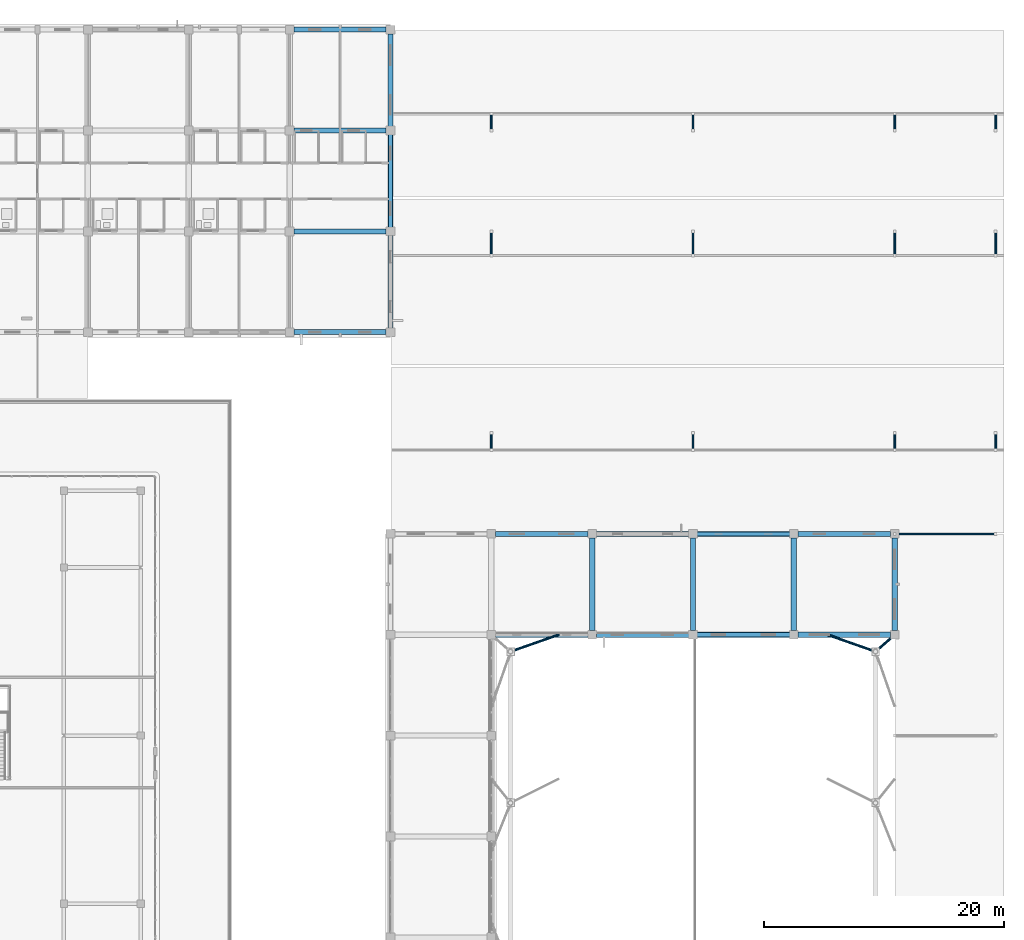
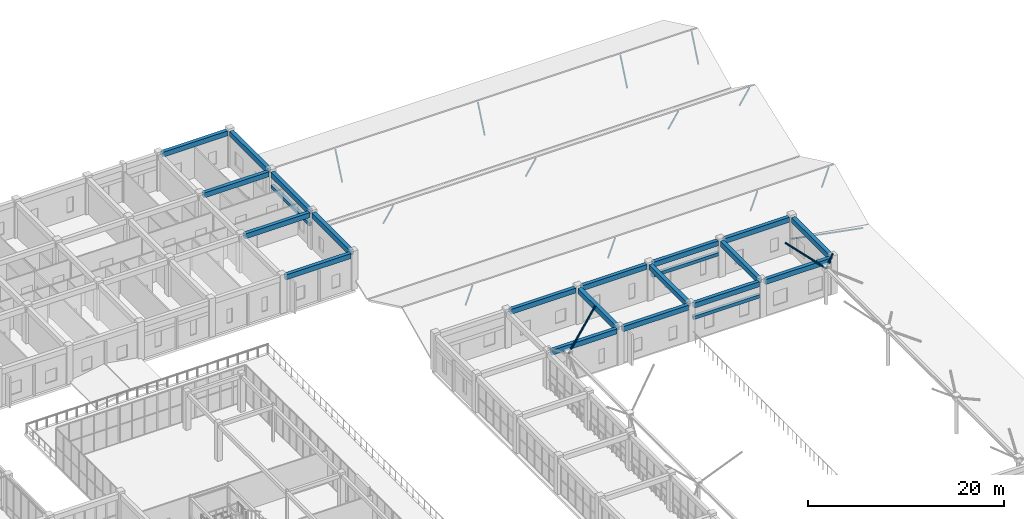
# One storey, part 100 of 158: 22 beams, 16 members.
"""IFC4 building model written with IfcOpenShell, lengths in metres."""

from ifc_helpers import new_model, si_unit, direction, frame, origin, origin_2d, place, context, subcontext, project, spatial, rectangle, hollow_circle, extrude, material, material_profile, profile_set, type_object, element, save


model = new_model("IFC4")

# Units and contexts
model_context = context("Model", 3, precision=1e-05, world=origin(), true_north=direction((0.0, 1.0)))
body_context = subcontext(model_context, "Body", "Model", "MODEL_VIEW")
ifc_project = project(units=[si_unit("LENGTHUNIT", "METRE"), si_unit("AREAUNIT", "SQUARE_METRE"), si_unit("VOLUMEUNIT", "CUBIC_METRE"), si_unit("PLANEANGLEUNIT", "RADIAN"), si_unit("MASSUNIT", "GRAM", prefix="KILO")], contexts=[model_context])

# Site, building, storey
site_placement = place(None, origin())
site = spatial("IfcSite", under=ifc_project, at=site_placement, CompositionType="ELEMENT")
building_placement = place(site_placement, origin())
building = spatial("IfcBuilding", under=site, at=building_placement, Name="Trelvath General Hospital", CompositionType="ELEMENT")
storey_placement = place(building_placement, frame((0.0, 0.0, 8.10009765625)))
storey = spatial("IfcBuildingStorey", under=building, at=storey_placement, Name="L02", CompositionType="ELEMENT", Elevation=8.10009765625)

# Beams
ifc_material_1 = material(Name="Concrete C35/45", Category="concrete")
ifc_material_profile_1 = material_profile(ifc_material_1, rectangle(XDim=0.419921875, YDim=0.6201171875, at=origin_2d()), Name="RCB420x620")
ifc_profile_set_1 = profile_set([ifc_material_profile_1], Name="Concrete C35/45")
beam_type_1 = type_object("IfcBeamType", Name="Beam RC420x620", PredefinedType="BEAM", material=ifc_profile_set_1)
beam_1_placement = place(storey_placement, frame((126.35498046875, 92.39990234375, 4.2099609375), z_axis=(1.0, 0.0, 0.0), x_axis=(0.0, 1.0, 0.0)))
element("IfcBeam", 1, at=beam_1_placement, inside=storey, type_object=beam_type_1, Name="Grid Beam BX-215L", PredefinedType="BEAM", context=body_context, shape_type="SweptSolid", body=[
    extrude(rectangle(XDim=0.419921875, YDim=0.6201171875, at=origin_2d()), origin(), (0.0, 0.0, 1.0), 7.68994140625),
])
for number, where, z_axis, x_axis, name in (
    (2, (126.364990234375, 100.800048828125, 4.2099609375), (1.0, 0.0, 0.0), (0.0, 1.0, 0.0), "Grid Beam BX-215M"),
    (3, (126.364990234375, 109.199951171875, 4.2099609375), (1.0, 0.0, 0.0), (0.0, 1.0, 0.0), "Grid Beam BX-215N"),
):
    element("IfcBeam", number, at=place(storey_placement, frame(where, z_axis=z_axis, x_axis=x_axis)), inside=storey, type_object=beam_type_1, Name=name, PredefinedType="BEAM", context=body_context, shape_type="SweptSolid", body=[
        extrude(rectangle(XDim=0.419921875, YDim=0.6201171875, at=origin_2d()), origin(), (0.0, 0.0, 1.0), 7.679931640625),
    ])
for number, where, z_axis, x_axis, name in (
    (4, (126.35498046875, 117.60009765625, 4.2099609375), (1.0, 0.0, 0.0), (0.0, 1.0, 0.0), "Grid Beam BX-215O"),
    (5, (143.155029296875, 67.199951171875, 4.2099609375), (1.0, 0.0, 0.0), (0.0, 1.0, 0.0), "Grid Beam BX-217I"),
    (6, (143.155029296875, 75.60009765625, 4.2099609375), (1.0, 0.0, 0.0), (0.0, 1.0, 0.0), "Grid Beam BX-217J"),
):
    element("IfcBeam", number, at=place(storey_placement, frame(where, z_axis=z_axis, x_axis=x_axis)), inside=storey, type_object=beam_type_1, Name=name, PredefinedType="BEAM", context=body_context, shape_type="SweptSolid", body=[
        extrude(rectangle(XDim=0.419921875, YDim=0.6201171875, at=origin_2d()), origin(), (0.0, 0.0, 1.0), 7.68994140625),
    ])
for number, where, z_axis, x_axis, name in (
    (7, (151.554931640625, 67.199951171875, 4.2099609375), (1.0, 0.0, 0.0), (0.0, 1.0, 0.0), "Grid Beam BX-218I"),
    (8, (151.554931640625, 75.60009765625, 4.2099609375), (1.0, 0.0, 0.0), (0.0, 1.0, 0.0), "Grid Beam BX-218J"),
):
    element("IfcBeam", number, at=place(storey_placement, frame(where, z_axis=z_axis, x_axis=x_axis)), inside=storey, type_object=beam_type_1, Name=name, PredefinedType="BEAM", context=body_context, shape_type="SweptSolid", body=[
        extrude(rectangle(XDim=0.419921875, YDim=0.6201171875, at=origin_2d()), origin(), (0.0, 0.0, 1.0), 7.690185546875),
    ])
for number, where, z_axis, x_axis, name in (
    (9, (159.955078125, 67.199951171875, 4.2099609375), (1.0, 0.0, 0.0), (0.0, 1.0, 0.0), "Grid Beam BX-219I"),
    (10, (159.955078125, 75.60009765625, 4.2099609375), (1.0, 0.0, 0.0), (0.0, 1.0, 0.0), "Grid Beam BX-219J"),
    (11, (168.35498046875, 67.199951171875, 4.2099609375), (1.0, 0.0, 0.0), (0.0, 1.0, 0.0), "Grid Beam BX-220I"),
    (12, (168.35498046875, 75.60009765625, 4.2099609375), (1.0, 0.0, 0.0), (0.0, 1.0, 0.0), "Grid Beam BX-220J"),
):
    element("IfcBeam", number, at=place(storey_placement, frame(where, z_axis=z_axis, x_axis=x_axis)), inside=storey, type_object=beam_type_1, Name=name, PredefinedType="BEAM", context=body_context, shape_type="SweptSolid", body=[
        extrude(rectangle(XDim=0.419921875, YDim=0.6201171875, at=origin_2d()), origin(), (0.0, 0.0, 1.0), 7.68994140625),
    ])
ifc_material_2 = material(Name="Concrete C35/45", Category="concrete")
ifc_material_profile_2 = material_profile(ifc_material_2, rectangle(XDim=0.449951171875, YDim=0.64990234375, at=origin_2d()), Name="RCB450x650")
ifc_profile_set_2 = profile_set([ifc_material_profile_2], Name="Concrete C35/45")
beam_type_2 = type_object("IfcBeamType", Name="Beam RC450x650", PredefinedType="BEAM", material=ifc_profile_set_2)
beam_2_placement = place(storey_placement, frame((134.39990234375, 92.7548828125, 4.19482421875), z_axis=(0.0, 1.0, 0.0), x_axis=(-1.0, 0.0, 0.0)))
element("IfcBeam", 13, at=beam_2_placement, inside=storey, type_object=beam_type_2, Name="Grid Beam BY-216L", PredefinedType="BEAM", context=body_context, shape_type="SweptSolid", body=[
    extrude(rectangle(XDim=0.449951171875, YDim=0.64990234375, at=origin_2d()), origin(), (0.0, 0.0, 1.0), 7.690185546875),
])
beam_3_placement = place(storey_placement, frame((134.39990234375, 101.155029296875, 4.19482421875), z_axis=(0.0, 1.0, 0.0), x_axis=(-1.0, 0.0, 0.0)))
element("IfcBeam", 14, at=beam_3_placement, inside=storey, type_object=beam_type_2, Name="Grid Beam BY-216M", PredefinedType="BEAM", context=body_context, shape_type="SweptSolid", body=[
    extrude(rectangle(XDim=0.449951171875, YDim=0.64990234375, at=origin_2d()), origin(), (0.0, 0.0, 1.0), 7.68994140625),
])
for number, where, z_axis, x_axis, name in (
    (15, (134.39990234375, 109.554931640625, 4.19482421875), (0.0, 1.0, 0.0), (-1.0, 0.0, 0.0), "Grid Beam BY-216N"),
    (16, (151.199951171875, 67.554931640625, 4.19482421875), (0.0, 1.0, 0.0), (-1.0, 0.0, 0.0), "Grid Beam BY-218I"),
    (17, (159.60009765625, 67.554931640625, 4.19482421875), (0.0, 1.0, 0.0), (-1.0, 0.0, 0.0), "Grid Beam BY-219I"),
    (18, (168.0, 67.554931640625, 4.19482421875), (0.0, 1.0, 0.0), (-1.0, 0.0, 0.0), "Grid Beam BY-220I"),
    (19, (176.39990234375, 67.554931640625, 4.19482421875), (0.0, 1.0, 0.0), (-1.0, 0.0, 0.0), "Grid Beam BY-221I"),
):
    element("IfcBeam", number, at=place(storey_placement, frame(where, z_axis=z_axis, x_axis=x_axis)), inside=storey, type_object=beam_type_2, Name=name, PredefinedType="BEAM", context=body_context, shape_type="SweptSolid", body=[
        extrude(rectangle(XDim=0.449951171875, YDim=0.64990234375, at=origin_2d()), origin(), (0.0, 0.0, 1.0), 7.690185546875),
    ])
ifc_material_3 = material(Name="Precast concrete C40/50", Category="concrete")
ifc_material_profile_3 = material_profile(ifc_material_3, rectangle(XDim=0.35009765625, YDim=0.419921875, at=origin_2d()), Name="PCL350x420")
ifc_profile_set_3 = profile_set([ifc_material_profile_3], Name="Precast concrete C40/50")
beam_type_3 = type_object("IfcBeamType", Name="Lintel PC350x420", PredefinedType="LINTEL", material=ifc_profile_set_3)
for number, where, z_axis, x_axis, name in (
    (20, (134.39990234375, 108.925048828125, 2.669921875), (0.0, -1.0, 0.0), (1.0, 0.0, 0.0), "Precast Window Brow Lintel L02-302"),
    (21, (167.72509765625, 67.199951171875, 2.669921875), (-1.0, 0.0, 0.0), (0.0, -1.0, 0.0), "Precast Window Brow Lintel L02-318"),
    (22, (159.875, 75.60009765625, 2.81982421875), (1.0, 0.0, 0.0), (0.0, 1.0, 0.0), "Precast Window Brow Lintel L02-319"),
):
    element("IfcBeam", number, at=place(storey_placement, frame(where, z_axis=z_axis, x_axis=x_axis)), inside=storey, type_object=beam_type_3, Name=name, PredefinedType="LINTEL", context=body_context, shape_type="SweptSolid", body=[
        extrude(rectangle(XDim=0.35009765625, YDim=0.419921875, at=origin_2d()), origin(), (0.0, 0.0, 1.0), 7.85009765625),
    ])

# Members
ifc_material_4 = material(Name="Steel S355", Category="steel")
ifc_material_profile_4 = material_profile(ifc_material_4, hollow_circle(Radius=0.096923828125, WallThickness=0.008056640625, at=origin_2d()), Name="CHS193.7x8.0")
ifc_profile_set_4 = profile_set([ifc_material_profile_4], Name="Steel S355")
member_type_1 = type_object("IfcMemberType", Name="ShellStrut CHS193", PredefinedType="STRUT", material=ifc_profile_set_4)
for number, where, z_axis, x_axis, name in (
    (23, (142.800048828125, 84.0, 0.0), (0.0, -0.39256378579, 0.919724781707), (1.0, 0.0, 0.0), "Emergency Shell Ridge Strut 1"),
    (24, (159.60009765625, 84.0, 0.0), (0.0, -0.39256378579, 0.919724781707), (1.0, 0.0, 0.0), "Emergency Shell Ridge Strut 2"),
    (25, (176.39990234375, 84.0, 0.0), (0.0, -0.39256378579, 0.919724781707), (1.0, 0.0, 0.0), "Emergency Shell Ridge Strut 3"),
    (26, (184.800048828125, 84.0, 0.0), (0.0, -0.39256378579, 0.919724781707), (1.0, 0.0, 0.0), "Emergency Shell Ridge Strut 4"),
):
    element("IfcMember", number, at=place(storey_placement, frame(where, z_axis=z_axis, x_axis=x_axis)), inside=storey, type_object=member_type_1, Name=name, PredefinedType="STRUT", context=body_context, shape_type="SweptSolid", body=[
        extrude(hollow_circle(Radius=0.096923828125, WallThickness=0.008056640625, at=origin_2d()), origin(), (0.0, 0.0, 1.0), 3.566162109375),
    ])
for number, where, z_axis, x_axis, name in (
    (27, (142.800048828125, 100.800048828125, 0.0), (0.0, -0.509257001606, 0.860614493438), (1.0, 0.0, 0.0), "Emergency Shell Ridge Strut 5"),
    (28, (159.60009765625, 100.800048828125, 0.0), (0.0, -0.509257001606, 0.860614493438), (1.0, 0.0, 0.0), "Emergency Shell Ridge Strut 6"),
    (29, (176.39990234375, 100.800048828125, 0.0), (0.0, -0.509257001606, 0.860614493438), (1.0, 0.0, 0.0), "Emergency Shell Ridge Strut 7"),
    (30, (184.800048828125, 100.800048828125, 0.0), (0.0, -0.509257001606, 0.860614493438), (1.0, 0.0, 0.0), "Emergency Shell Ridge Strut 8"),
):
    element("IfcMember", number, at=place(storey_placement, frame(where, z_axis=z_axis, x_axis=x_axis)), inside=storey, type_object=member_type_1, Name=name, PredefinedType="STRUT", context=body_context, shape_type="SweptSolid", body=[
        extrude(hollow_circle(Radius=0.096923828125, WallThickness=0.008056640625, at=origin_2d()), origin(), (0.0, 0.0, 1.0), 3.92724609375),
    ])
for number, where, z_axis, x_axis, name in (
    (31, (142.800048828125, 109.199951171875, 0.0), (0.0, 0.392621695423, 0.91970006213), (-1.0, 0.0, 0.0), "Emergency Shell Ridge Strut 9"),
    (32, (159.60009765625, 109.199951171875, 0.0), (0.0, 0.392621695423, 0.91970006213), (-1.0, 0.0, 0.0), "Emergency Shell Ridge Strut 10"),
    (33, (176.39990234375, 109.199951171875, 0.0), (0.0, 0.392621695423, 0.91970006213), (-1.0, 0.0, 0.0), "Emergency Shell Ridge Strut 11"),
    (34, (184.800048828125, 109.199951171875, 0.0), (0.0, 0.392621695423, 0.91970006213), (-1.0, 0.0, 0.0), "Emergency Shell Ridge Strut 12"),
):
    element("IfcMember", number, at=place(storey_placement, frame(where, z_axis=z_axis, x_axis=x_axis)), inside=storey, type_object=member_type_1, Name=name, PredefinedType="STRUT", context=body_context, shape_type="SweptSolid", body=[
        extrude(hollow_circle(Radius=0.096923828125, WallThickness=0.008056640625, at=origin_2d()), origin(), (0.0, 0.0, 1.0), 3.566162109375),
    ])
member_1_placement = place(storey_placement, frame((184.800048828125, 75.60009765625, 0.0), z_axis=(-0.982770179759, 0.0, 0.184831744506), x_axis=(0.0, -1.0, 0.0)))
element("IfcMember", 35, at=member_1_placement, inside=storey, type_object=member_type_1, Name="East Arcade Roof Strut 16", PredefinedType="STRUT", context=body_context, shape_type="SweptSolid", body=[
    extrude(hollow_circle(Radius=0.096923828125, WallThickness=0.008056640625, at=origin_2d()), origin(), (0.0, 0.0, 1.0), 8.54736328125),
])
ifc_material_5 = material(Name="Steel S355", Category="steel")
ifc_material_profile_5 = material_profile(ifc_material_5, hollow_circle(Radius=0.109619140625, WallThickness=0.010009765625, at=origin_2d()), Name="CHS219.1x10.0")
ifc_profile_set_5 = profile_set([ifc_material_profile_5], Name="Steel S355")
member_type_2 = type_object("IfcMemberType", Name="TreeStrut CHS219", PredefinedType="STRUT", material=ifc_profile_set_5)
member_2_placement = place(storey_placement, frame((144.39990234375, 65.800048828125, 4.39990234375), z_axis=(0.708236539765, 0.247865497987, 0.661032297735), x_axis=(-0.330329895837, 0.943865541227, 0.0)))
element("IfcMember", 36, at=member_2_placement, inside=storey, type_object=member_type_2, Name="Branching Tree Strut TS-11", PredefinedType="STRUT", context=body_context, shape_type="SweptSolid", body=[
    extrude(hollow_circle(Radius=0.109619140625, WallThickness=0.010009765625, at=origin_2d()), origin(), (0.0, 0.0, 1.0), 5.64794921875),
])
member_3_placement = place(storey_placement, frame((174.800048828125, 65.800048828125, 4.39990234375), z_axis=(0.739597367324, 0.647161804401, 0.184871125847), x_axis=(-0.658512738345, 0.752569580463, 0.0)))
element("IfcMember", 37, at=member_3_placement, inside=storey, type_object=member_type_2, Name="Branching Tree Strut TS-22", PredefinedType="STRUT", context=body_context, shape_type="SweptSolid", body=[
    extrude(hollow_circle(Radius=0.109619140625, WallThickness=0.010009765625, at=origin_2d()), origin(), (0.0, 0.0, 1.0), 2.1630859375),
])
member_4_placement = place(storey_placement, frame((174.800048828125, 65.800048828125, 4.39990234375), z_axis=(-0.708236539765, 0.247865497987, 0.661032297735), x_axis=(-0.330329895837, -0.943865541227, 0.0)))
element("IfcMember", 38, at=member_4_placement, inside=storey, type_object=member_type_2, Name="Branching Tree Strut TS-23", PredefinedType="STRUT", context=body_context, shape_type="SweptSolid", body=[
    extrude(hollow_circle(Radius=0.109619140625, WallThickness=0.010009765625, at=origin_2d()), origin(), (0.0, 0.0, 1.0), 5.64794921875),
])

save(model, "model.ifc")
